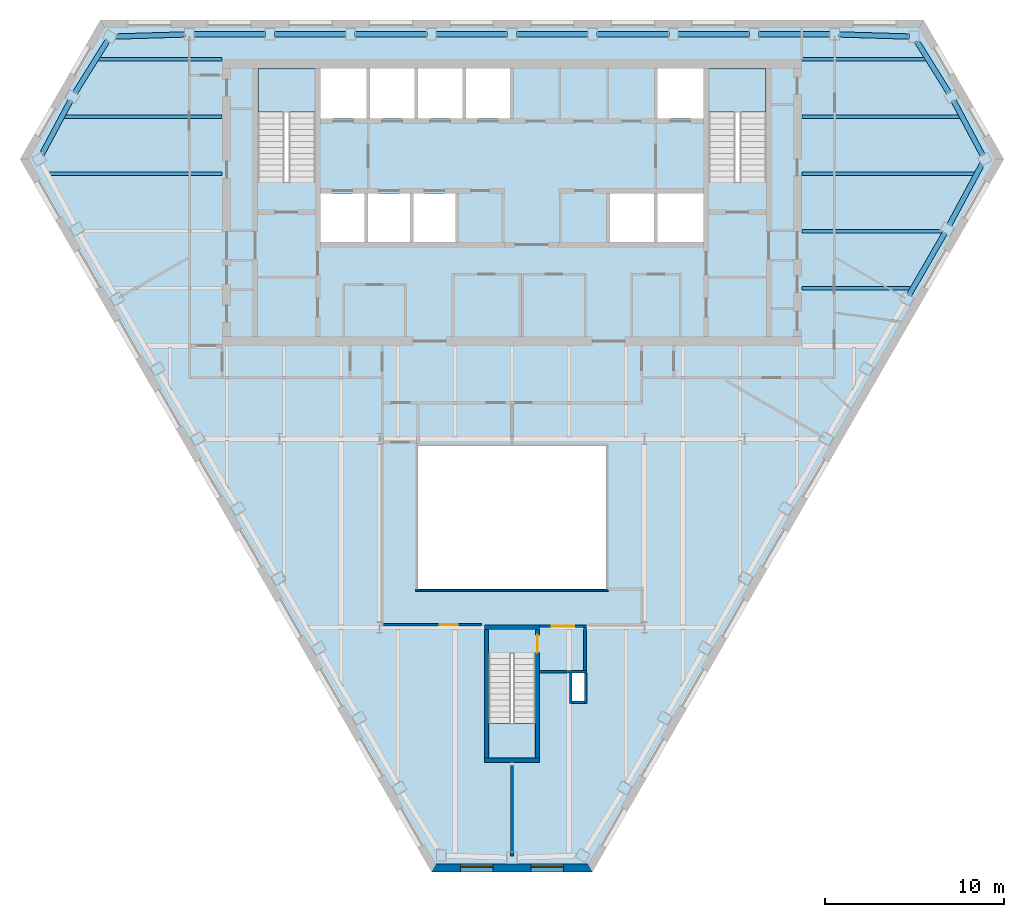
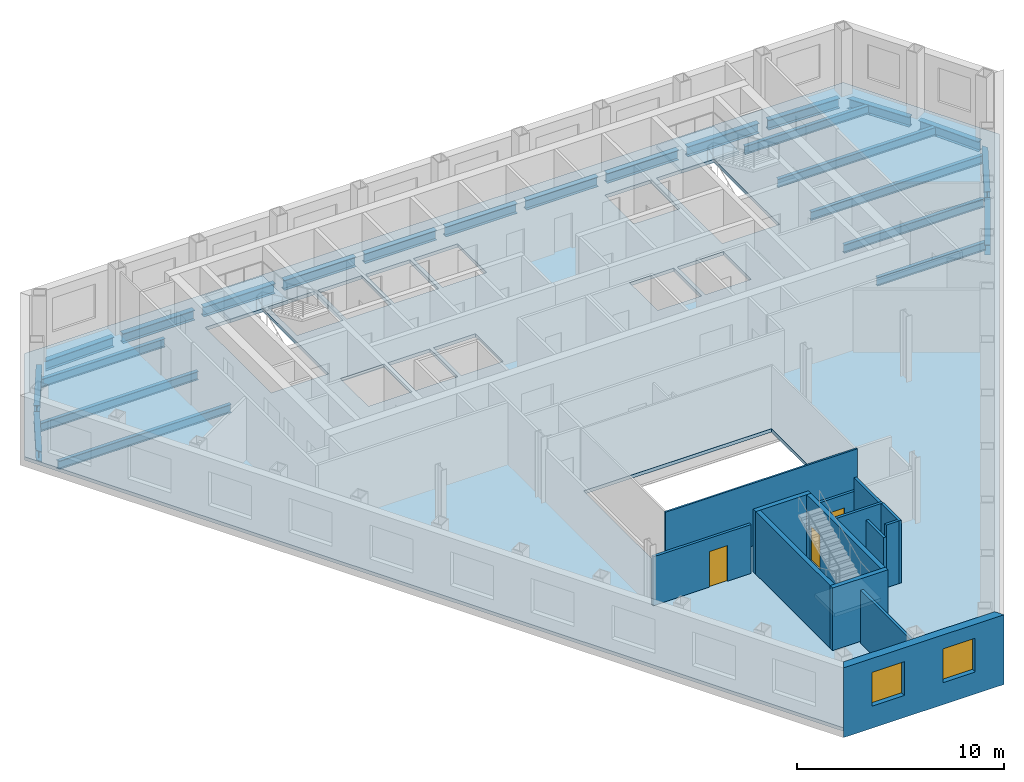
# One storey, part 3 of 11: 24 beams, 14 walls, 4 slabs, 3 doors, 2 windows, 5 openings, 3 elements without a shape of their own.
"""IFC4 building model written with IfcOpenShell, lengths in metres."""

from ifc_helpers import new_model, si_unit, direction, frame, frame_2d, origin, origin_2d, place, context, subcontext, project, spatial, polyline, rectangle, i_section, outline, extrude, clip, halfspace, material, layer, layer_set, material_profile, profile_set, type_object, element, fill, aggregate, save


model = new_model("IFC4")

# Units and contexts
model_context = context("Model", 3, precision=1e-05, world=origin(), true_north=direction((0.0, 1.0)))
body_context = subcontext(model_context, "Body", "Model", "MODEL_VIEW")
ifc_project = project(units=[si_unit("LENGTHUNIT", "METRE"), si_unit("AREAUNIT", "SQUARE_METRE"), si_unit("VOLUMEUNIT", "CUBIC_METRE"), si_unit("PLANEANGLEUNIT", "RADIAN"), si_unit("MASSUNIT", "GRAM", prefix="KILO")], contexts=[model_context])

# Site, building, storey
site_placement = place(None, origin())
site = spatial("IfcSite", under=ifc_project, at=site_placement, CompositionType="ELEMENT")
building_placement = place(site_placement, origin())
building = spatial("IfcBuilding", under=site, at=building_placement, Name="Njiva Tower", CompositionType="ELEMENT")
storey_placement = place(building_placement, frame((0.0, 0.0, 147.6)))
storey = spatial("IfcBuildingStorey", under=building, at=storey_placement, Name="L31", CompositionType="ELEMENT", Elevation=147.6)

# Beams
ifc_material_1 = material(Name="Steel S355 J2", Category="steel")
ifc_material_profile_1 = material_profile(ifc_material_1, i_section(OverallWidth=0.2, OverallDepth=0.5, WebThickness=0.0102, FlangeThickness=0.016, at=origin_2d()), Name="IPE 500")
ifc_profile_set_1 = profile_set([ifc_material_profile_1], Name="Steel S355 J2")
beam_type_1 = type_object("IfcBeamType", Name="B24 Floor beam to the core IPE 500", PredefinedType="BEAM", material=ifc_profile_set_1)
beam_1_placement = place(storey_placement, frame((16.2, 5.2, -0.45), z_axis=(1.0, 0.0, 0.0), x_axis=(0.0, 1.0, 0.0)))
element("IfcBeam", 1, at=beam_1_placement, inside=storey, type_object=beam_type_1, Name="Floor beam to the core S10-B025", PredefinedType="BEAM", context=body_context, shape_type="Clipping", body=[
    clip(extrude(i_section(OverallWidth=0.2, OverallDepth=0.5, WebThickness=0.0102, FlangeThickness=0.016, at=origin_2d()), origin(), (0.0, 0.0, 1.0), 6.164), halfspace(frame((-0.025, 0.0, 6.0711), z_axis=(-0.499998009787, 0.0, 0.866026552831), x_axis=(0.0, 1.0, 0.0)), False)),
])
beam_2_placement = place(storey_placement, frame((16.2, 8.4, -0.45), z_axis=(1.0, 0.0, 0.0), x_axis=(0.0, 1.0, 0.0)))
element("IfcBeam", 2, at=beam_2_placement, inside=storey, type_object=beam_type_1, Name="Floor beam to the core S10-B026", PredefinedType="BEAM", context=body_context, shape_type="Clipping", body=[
    clip(extrude(i_section(OverallWidth=0.2, OverallDepth=0.5, WebThickness=0.0102, FlangeThickness=0.016, at=origin_2d()), origin(), (0.0, 0.0, 1.0), 8.016), halfspace(frame((0.0433, 0.0, 7.7481), z_axis=(0.866026552831, 0.0, 0.499998009787), x_axis=(0.0, 1.0, 0.0)), False)),
])
beam_3_placement = place(storey_placement, frame((-25.11, 14.8, -0.45), z_axis=(1.0, 0.0, 0.0), x_axis=(0.0, 1.0, 0.0)))
element("IfcBeam", 3, at=beam_3_placement, inside=storey, type_object=beam_type_1, Name="Floor beam to the core S10-B020", PredefinedType="BEAM", context=body_context, shape_type="Clipping", body=[
    clip(extrude(i_section(OverallWidth=0.2, OverallDepth=0.5, WebThickness=0.0102, FlangeThickness=0.016, at=origin_2d()), origin(), (0.0, 0.0, 1.0), 8.91), halfspace(frame((0.0235, 0.0, 0.0859), z_axis=(0.470559169346, 0.0, -0.8823684424), x_axis=(0.0, -1.0, 0.0)), False)),
])
beam_4_placement = place(storey_placement, frame((16.2, 14.8, -0.45), z_axis=(1.0, 0.0, 0.0), x_axis=(0.0, 1.0, 0.0)))
element("IfcBeam", 4, at=beam_4_placement, inside=storey, type_object=beam_type_1, Name="Floor beam to the core S10-B029", PredefinedType="BEAM", context=body_context, shape_type="Clipping", body=[
    clip(extrude(i_section(OverallWidth=0.2, OverallDepth=0.5, WebThickness=0.0102, FlangeThickness=0.016, at=origin_2d()), origin(), (0.0, 0.0, 1.0), 8.91), halfspace(frame((0.0235, 0.0, 8.8241), z_axis=(0.470559169346, 0.0, 0.8823684424), x_axis=(0.0, 1.0, 0.0)), False)),
])
beam_5_placement = place(storey_placement, frame((-23.22, 18.0, -0.45), z_axis=(1.0, 0.0, 0.0), x_axis=(0.0, 1.0, 0.0)))
element("IfcBeam", 5, at=beam_5_placement, inside=storey, type_object=beam_type_1, Name="Floor beam to the core S10-B023", PredefinedType="BEAM", context=body_context, shape_type="Clipping", body=[
    clip(extrude(i_section(OverallWidth=0.2, OverallDepth=0.5, WebThickness=0.0102, FlangeThickness=0.016, at=origin_2d()), origin(), (0.0, 0.0, 1.0), 7.02), halfspace(frame((0.0264, 0.0, 0.0986), z_axis=(0.528871278045, 0.0, -0.848702050933), x_axis=(0.0, -1.0, 0.0)), False)),
])
beam_6_placement = place(storey_placement, frame((16.2, 18.0, -0.45), z_axis=(1.0, 0.0, 0.0), x_axis=(0.0, 1.0, 0.0)))
element("IfcBeam", 6, at=beam_6_placement, inside=storey, type_object=beam_type_1, Name="Floor beam to the core S10-B030", PredefinedType="BEAM", context=body_context, shape_type="Clipping", body=[
    clip(extrude(i_section(OverallWidth=0.2, OverallDepth=0.5, WebThickness=0.0102, FlangeThickness=0.016, at=origin_2d()), origin(), (0.0, 0.0, 1.0), 7.02), halfspace(frame((0.0264, 0.0, 6.9214), z_axis=(0.528871278045, 0.0, 0.848702050933), x_axis=(0.0, 1.0, 0.0)), False)),
])
ifc_material_profile_2 = material_profile(ifc_material_1, i_section(OverallWidth=0.3, OverallDepth=0.59, WebThickness=0.013, FlangeThickness=0.025, at=origin_2d()), Name="HEA 600")
ifc_profile_set_2 = profile_set([ifc_material_profile_2], Name="Steel S355 J2")
beam_type_2 = type_object("IfcBeamType", Name="B27 Short-span spandrel beam HEA 600", PredefinedType="SPANDREL", material=ifc_profile_set_2)
beam_7_placement = place(storey_placement, frame((22.212, 19.275, -0.495), z_axis=(-0.999555783921, 0.029803268787, 0.0), x_axis=(-0.029803268787, -0.999555783921, 0.0)))
element("IfcBeam", 7, at=beam_7_placement, inside=storey, type_object=beam_type_2, Name="Short-span spandrel beam S10-B158", PredefinedType="SPANDREL", context=body_context, shape_type="SweptSolid", body=[
    extrude(i_section(OverallWidth=0.3, OverallDepth=0.59, WebThickness=0.013, FlangeThickness=0.025, at=origin_2d()), origin(), (0.0, 0.0, 1.0), 3.9257),
])
beam_8_placement = place(storey_placement, frame((17.784, 19.4, -0.495), z_axis=(-1.0, 0.0, 0.0), x_axis=(0.0, -1.0, 0.0)))
element("IfcBeam", 8, at=beam_8_placement, inside=storey, type_object=beam_type_2, Name="Short-span spandrel beam S10-B153", PredefinedType="SPANDREL", context=body_context, shape_type="SweptSolid", body=[
    extrude(i_section(OverallWidth=0.3, OverallDepth=0.59, WebThickness=0.013, FlangeThickness=0.025, at=origin_2d()), origin(), (0.0, 0.0, 1.0), 4.008),
])
beam_9_placement = place(storey_placement, frame((13.276, 19.4, -0.495), z_axis=(-1.0, 0.0, 0.0), x_axis=(0.0, -1.0, 0.0)))
element("IfcBeam", 9, at=beam_9_placement, inside=storey, type_object=beam_type_2, Name="Short-span spandrel beam S10-B148", PredefinedType="SPANDREL", context=body_context, shape_type="SweptSolid", body=[
    extrude(i_section(OverallWidth=0.3, OverallDepth=0.59, WebThickness=0.013, FlangeThickness=0.025, at=origin_2d()), origin(), (0.0, 0.0, 1.0), 4.009),
])
beam_10_placement = place(storey_placement, frame((8.767, 19.4, -0.495), z_axis=(-1.0, 0.0, 0.0), x_axis=(0.0, -1.0, 0.0)))
element("IfcBeam", 10, at=beam_10_placement, inside=storey, type_object=beam_type_2, Name="Short-span spandrel beam S10-B143", PredefinedType="SPANDREL", context=body_context, shape_type="SweptSolid", body=[
    extrude(i_section(OverallWidth=0.3, OverallDepth=0.59, WebThickness=0.013, FlangeThickness=0.025, at=origin_2d()), origin(), (0.0, 0.0, 1.0), 4.008),
])
for number, where, z_axis, x_axis, name in (
    (11, (4.259, 19.4, -0.495), (-1.0, 0.0, 0.0), (0.0, -1.0, 0.0), "Short-span spandrel beam S10-B140"),
    (12, (-0.25, 19.4, -0.495), (-1.0, 0.0, 0.0), (0.0, -1.0, 0.0), "Short-span spandrel beam S10-B135"),
):
    element("IfcBeam", number, at=place(storey_placement, frame(where, z_axis=z_axis, x_axis=x_axis)), inside=storey, type_object=beam_type_2, Name=name, PredefinedType="SPANDREL", context=body_context, shape_type="SweptSolid", body=[
        extrude(i_section(OverallWidth=0.3, OverallDepth=0.59, WebThickness=0.013, FlangeThickness=0.025, at=origin_2d()), origin(), (0.0, 0.0, 1.0), 4.009),
    ])
beam_11_placement = place(storey_placement, frame((-4.759, 19.4, -0.495), z_axis=(-1.0, 0.0, 0.0), x_axis=(0.0, -1.0, 0.0)))
element("IfcBeam", 13, at=beam_11_placement, inside=storey, type_object=beam_type_2, Name="Short-span spandrel beam S10-B130", PredefinedType="SPANDREL", context=body_context, shape_type="SweptSolid", body=[
    extrude(i_section(OverallWidth=0.3, OverallDepth=0.59, WebThickness=0.013, FlangeThickness=0.025, at=origin_2d()), origin(), (0.0, 0.0, 1.0), 4.008),
])
beam_12_placement = place(storey_placement, frame((-9.267, 19.4, -0.495), z_axis=(-1.0, 0.0, 0.0), x_axis=(0.0, -1.0, 0.0)))
element("IfcBeam", 14, at=beam_12_placement, inside=storey, type_object=beam_type_2, Name="Short-span spandrel beam S10-B125", PredefinedType="SPANDREL", context=body_context, shape_type="SweptSolid", body=[
    extrude(i_section(OverallWidth=0.3, OverallDepth=0.59, WebThickness=0.013, FlangeThickness=0.025, at=origin_2d()), origin(), (0.0, 0.0, 1.0), 4.009),
])
beam_13_placement = place(storey_placement, frame((-13.776, 19.4, -0.495), z_axis=(-1.0, 0.0, 0.0), x_axis=(0.0, -1.0, 0.0)))
element("IfcBeam", 15, at=beam_13_placement, inside=storey, type_object=beam_type_2, Name="Short-span spandrel beam S10-B120", PredefinedType="SPANDREL", context=body_context, shape_type="SweptSolid", body=[
    extrude(i_section(OverallWidth=0.3, OverallDepth=0.59, WebThickness=0.013, FlangeThickness=0.025, at=origin_2d()), origin(), (0.0, 0.0, 1.0), 4.008),
])
beam_14_placement = place(storey_placement, frame((-18.288, 19.392, -0.495), z_axis=(-0.999548579163, -0.030043932724, 0.0), x_axis=(0.030043932724, -0.999548579163, 0.0)))
element("IfcBeam", 16, at=beam_14_placement, inside=storey, type_object=beam_type_2, Name="Short-span spandrel beam S10-B115", PredefinedType="SPANDREL", context=body_context, shape_type="Clipping", body=[
    clip(extrude(i_section(OverallWidth=0.3, OverallDepth=0.59, WebThickness=0.013, FlangeThickness=0.025, at=origin_2d()), origin(), (0.0, 0.0, 1.0), 3.9407), halfspace(frame((-0.0268, 0.0, 3.811), z_axis=(-0.525791143758, 0.0, 0.850613703832), x_axis=(0.0, 1.0, 0.0)), False)),
])
beam_15_placement = place(storey_placement, frame((-22.601, 19.051, -0.495), z_axis=(-0.528771635486, -0.848764135379, 0.0), x_axis=(0.848764135379, -0.528771635486, 0.0)))
element("IfcBeam", 17, at=beam_15_placement, inside=storey, type_object=beam_type_2, Name="Short-span spandrel beam S10-B112", PredefinedType="SPANDREL", context=body_context, shape_type="SweptSolid", body=[
    extrude(i_section(OverallWidth=0.3, OverallDepth=0.59, WebThickness=0.013, FlangeThickness=0.025, at=origin_2d()), origin(), (0.0, 0.0, 1.0), 3.4438),
])
beam_16_placement = place(storey_placement, frame((-24.677, 15.687, -0.495), z_axis=(-0.470495144378, -0.882402583358, 0.0), x_axis=(0.882402583358, -0.470495144378, 0.0)))
element("IfcBeam", 18, at=beam_16_placement, inside=storey, type_object=beam_type_2, Name="Short-span spandrel beam S10-B109", PredefinedType="SPANDREL", context=body_context, shape_type="Clipping", body=[
    clip(extrude(i_section(OverallWidth=0.3, OverallDepth=0.59, WebThickness=0.013, FlangeThickness=0.025, at=origin_2d()), origin(), (0.0, 0.0, 1.0), 3.4584), halfspace(frame((-0.0266, 0.0, 3.3296), z_axis=(-0.528937431671, 0.0, 0.84866082352), x_axis=(0.0, 1.0, 0.0)), False)),
])
beam_17_placement = place(storey_placement, frame((22.188, 4.831, -0.495), z_axis=(0.500003221507, 0.866023543838, 0.0), x_axis=(-0.866023543838, 0.500003221507, 0.0)))
element("IfcBeam", 19, at=beam_17_placement, inside=storey, type_object=beam_type_2, Name="Short-span spandrel beam S10-B162", PredefinedType="SPANDREL", context=body_context, shape_type="SweptSolid", body=[
    extrude(i_section(OverallWidth=0.3, OverallDepth=0.59, WebThickness=0.013, FlangeThickness=0.025, at=origin_2d()), origin(), (0.0, 0.0, 1.0), 4.008),
])
beam_18_placement = place(storey_placement, frame((24.437, 8.742, -0.495), z_axis=(0.473866139808, 0.880596889356, 0.0), x_axis=(-0.880596889356, 0.473866139808, 0.0)))
element("IfcBeam", 20, at=beam_18_placement, inside=storey, type_object=beam_type_2, Name="Short-span spandrel beam S10-B166", PredefinedType="SPANDREL", context=body_context, shape_type="Clipping", body=[
    clip(extrude(i_section(OverallWidth=0.3, OverallDepth=0.59, WebThickness=0.013, FlangeThickness=0.025, at=origin_2d()), origin(), (0.0, 0.0, 1.0), 3.9411), halfspace(frame((-0.026, 0.0, 3.8116), z_axis=(-0.525688161714, 0.0, 0.850677351664), x_axis=(0.0, 1.0, 0.0)), False)),
])
beam_19_placement = place(storey_placement, frame((26.298, 12.647, -0.495), z_axis=(-0.470512906358, 0.882393112479, 0.0), x_axis=(-0.882393112479, -0.470512906358, 0.0)))
element("IfcBeam", 21, at=beam_19_placement, inside=storey, type_object=beam_type_2, Name="Short-span spandrel beam S10-B167", PredefinedType="SPANDREL", context=body_context, shape_type="SweptSolid", body=[
    extrude(i_section(OverallWidth=0.3, OverallDepth=0.59, WebThickness=0.013, FlangeThickness=0.025, at=origin_2d()), origin(), (0.0, 0.0, 1.0), 3.4452),
])
beam_20_placement = place(storey_placement, frame((24.422, 16.128, -0.495), z_axis=(-0.528842954955, 0.848719699897, 0.0), x_axis=(-0.848719699897, -0.528842954955, 0.0)))
element("IfcBeam", 22, at=beam_20_placement, inside=storey, type_object=beam_type_2, Name="Short-span spandrel beam S10-B163", PredefinedType="SPANDREL", context=body_context, shape_type="Clipping", body=[
    clip(extrude(i_section(OverallWidth=0.3, OverallDepth=0.59, WebThickness=0.013, FlangeThickness=0.025, at=origin_2d()), origin(), (0.0, 0.0, 1.0), 3.458), halfspace(frame((-0.0266, 0.0, 3.3285), z_axis=(-0.528842954955, 0.0, 0.848719699897), x_axis=(0.0, 1.0, 0.0)), False)),
])
ifc_material_profile_3 = material_profile(ifc_material_1, i_section(OverallWidth=0.2, OverallDepth=0.5, WebThickness=0.0102, FlangeThickness=0.016, at=origin_2d()), Name="IPE 500")
ifc_profile_set_3 = profile_set([ifc_material_profile_3], Name="Steel S355 J2")
beam_type_3 = type_object("IfcBeamType", Name="B33 Long-span floor beam to the core IPE 500", PredefinedType="BEAM", material=ifc_profile_set_3)
beam_21_placement = place(storey_placement, frame((-25.935, 11.6, -0.45), z_axis=(1.0, 0.0, 0.0), x_axis=(0.0, 1.0, 0.0)))
element("IfcBeam", 23, at=beam_21_placement, inside=storey, type_object=beam_type_3, Name="Long-span floor beam to the core S10-B019", PredefinedType="BEAM", context=body_context, shape_type="Clipping", body=[
    clip(extrude(i_section(OverallWidth=0.2, OverallDepth=0.5, WebThickness=0.0102, FlangeThickness=0.016, at=origin_2d()), origin(), (0.0, 0.0, 1.0), 9.735), halfspace(frame((-0.0237, 0.0, 0.0866), z_axis=(-0.473777178452, 0.0, -0.88064475538), x_axis=(0.0, -1.0, 0.0)), False)),
])
beam_22_placement = place(storey_placement, frame((16.2, 11.6, -0.45), z_axis=(1.0, 0.0, 0.0), x_axis=(0.0, 1.0, 0.0)))
element("IfcBeam", 24, at=beam_22_placement, inside=storey, type_object=beam_type_3, Name="Long-span floor beam to the core S10-B028", PredefinedType="BEAM", context=body_context, shape_type="Clipping", body=[
    clip(extrude(i_section(OverallWidth=0.2, OverallDepth=0.5, WebThickness=0.0102, FlangeThickness=0.016, at=origin_2d()), origin(), (0.0, 0.0, 1.0), 9.735), halfspace(frame((-0.0237, 0.0, 9.6484), z_axis=(-0.473777178452, 0.0, 0.88064475538), x_axis=(0.0, 1.0, 0.0)), False)),
])

# Stair, slab
ifc_material_2 = material(Name="Concrete C40/50", Category="concrete")
stair_type_1 = type_object("IfcStairType", Name="ST4 Exit stair 1500", PredefinedType="HALF_TURN_STAIR", material=ifc_material_2)
stair_1_placement = place(storey_placement, origin())
stair_1 = element("IfcStair", 25, at=stair_1_placement, inside=storey, type_object=stair_type_1, Name="Stair A", PredefinedType="HALF_TURN_STAIR")
ifc_layer_1 = layer(ifc_material_2, 0.2)
ifc_layer_set_1 = layer_set([ifc_layer_1], Name="Concrete C40/50")
slab_type_1 = type_object("IfcSlabType", Name="FL9 Stair landing 200", PredefinedType="LANDING", material=ifc_layer_set_1)
slab_1_placement = place(storey_placement, frame((0.0, 0.0, 1.75)))
slab_1 = element("IfcSlab", 26, at=slab_1_placement, type_object=slab_type_1, Name="ST-A landing 1", PredefinedType="LANDING", context=body_context, shape_type="SweptSolid", body=[
    extrude(outline(polyline([(-14.206, 15.06), (-10.994, 15.06), (-10.994, 17.5), (-14.206, 17.5), (-14.206, 15.06)])), origin(), (0.0, 0.0, 1.0), 0.2),
])
aggregate(stair_1, [slab_1])

stair_2_placement = place(storey_placement, origin())
stair_2 = element("IfcStair", 27, at=stair_2_placement, inside=storey, type_object=stair_type_1, Name="Stair B", PredefinedType="HALF_TURN_STAIR")
slab_2_placement = place(storey_placement, frame((0.0, 0.0, 1.75)))
slab_2 = element("IfcSlab", 28, at=slab_2_placement, type_object=slab_type_1, Name="ST-B landing 1", PredefinedType="LANDING", context=body_context, shape_type="SweptSolid", body=[
    extrude(outline(polyline([(10.994, 15.06), (14.206, 15.06), (14.206, 17.5), (10.994, 17.5), (10.994, 15.06)])), origin(), (0.0, 0.0, 1.0), 0.2),
])
aggregate(stair_2, [slab_2])

stair_type_2 = type_object("IfcStairType", Name="ST1 Exit stair 1250", PredefinedType="HALF_TURN_STAIR", material=ifc_material_2)
stair_3_placement = place(storey_placement, origin())
stair_3 = element("IfcStair", 29, at=stair_3_placement, inside=storey, type_object=stair_type_2, Name="Stair C", PredefinedType="HALF_TURN_STAIR")
slab_3_placement = place(storey_placement, frame((0.0, 0.0, 1.75)))
slab_3 = element("IfcSlab", 30, at=slab_3_placement, type_object=slab_type_1, Name="ST-C landing 1", PredefinedType="LANDING", context=body_context, shape_type="SweptSolid", body=[
    extrude(outline(polyline([(-1.306, -21.05), (1.306, -21.05), (1.306, -19.12), (-1.306, -19.12), (-1.306, -21.05)])), origin(), (0.0, 0.0, 1.0), 0.2),
])
aggregate(stair_3, [slab_3])

# Slab
ifc_material_3 = material(Name="Concrete C30/37", Category="concrete")
ifc_layer_2 = layer(ifc_material_3, 0.2)
ifc_layer_set_2 = layer_set([ifc_layer_2], Name="Concrete C30/37")
slab_type_2 = type_object("IfcSlabType", Name="SL16 Composite floor slab 200", PredefinedType="FLOOR", material=ifc_layer_set_2)
slab_4_placement = place(storey_placement, frame((0.0, 0.0, -0.2)))
element("IfcSlab", 31, at=slab_4_placement, inside=storey, type_object=slab_type_2, Name="Floor slab L31", PredefinedType="FLOOR", context=body_context, shape_type="SweptSolid", body=[
    extrude(outline(polyline([(27.2352, 12.4231), (4.3601, -27.1977), (-4.3601, -27.1977), (-27.2352, 12.4231), (-22.8751, 19.975), (22.8751, 19.975), (27.2352, 12.4231)]), holes=[polyline([(10.994, 11.13), (14.206, 11.13), (14.206, 17.5), (10.994, 17.5), (10.994, 11.13)]), polyline([(8.125, 14.7), (10.7, 14.7), (10.7, 17.5), (8.125, 17.5), (8.125, 14.7)]), polyline([(8.1333, 7.8), (10.7, 7.8), (10.7, 10.5), (8.1333, 10.5), (8.1333, 7.8)]), polyline([(5.4667, 7.8), (7.9333, 7.8), (7.9333, 10.5), (5.4667, 10.5), (5.4667, 7.8)]), polyline([(5.25, -11.6), (5.25, -3.6), (-5.25, -3.6), (-5.25, -11.6), (5.25, -11.6)]), polyline([(3.35, -17.85), (4.05, -17.85), (4.05, -16.3), (3.35, -16.3), (3.35, -17.85)]), polyline([(-1.306, -21.05), (1.306, -21.05), (1.306, -15.19), (-1.306, -15.19), (-1.306, -21.05)]), polyline([(-2.575, 14.7), (-0.1, 14.7), (-0.1, 17.5), (-2.575, 17.5), (-2.575, 14.7)]), polyline([(-5.25, 14.7), (-2.775, 14.7), (-2.775, 17.5), (-5.25, 17.5), (-5.25, 14.7)]), polyline([(-5.5, 7.8), (-3.15, 7.8), (-3.15, 10.5), (-5.5, 10.5), (-5.5, 7.8)]), polyline([(-7.925, 14.7), (-5.45, 14.7), (-5.45, 17.5), (-7.925, 17.5), (-7.925, 14.7)]), polyline([(-8.05, 7.8), (-5.7, 7.8), (-5.7, 10.5), (-8.05, 10.5), (-8.05, 7.8)]), polyline([(-10.7, 14.7), (-8.125, 14.7), (-8.125, 17.5), (-10.7, 17.5), (-10.7, 14.7)]), polyline([(-8.25, 7.8), (-8.25, 10.5), (-10.7, 10.5), (-10.7, 7.8), (-8.25, 7.8)]), polyline([(-14.206, 11.13), (-10.994, 11.13), (-10.994, 17.5), (-14.206, 17.5), (-14.206, 11.13)])]), origin(), (0.0, 0.0, 1.0), 0.2),
])

# Wall, opening, door
ifc_material_4 = material(Name="Gypsum board on steel studs", Category="gypsum")
ifc_layer_3 = layer(ifc_material_4, 0.15)
ifc_layer_set_3 = layer_set([ifc_layer_3], Name="Gypsum board on steel studs")
wall_type_1 = type_object("IfcWallType", Name="WT21 Compartment wall 150", PredefinedType="PARTITIONING", material=ifc_layer_set_3)
wall_1_placement = place(storey_placement, frame((-7.175, -13.6, 0.0), z_axis=(0.0, 0.0, 1.0), x_axis=(1.0, 0.0, 0.0)))
wall_1 = element("IfcWall", 32, at=wall_1_placement, inside=storey, type_object=wall_type_1, Name="Partition S10-P011", PredefinedType="PARTITIONING", context=body_context, shape_type="SweptSolid", body=[
    extrude(rectangle(XDim=5.475, YDim=0.15, at=frame_2d((2.7375, 0.0))), origin(), (0.0, 0.0, 1.0), 2.886),
])
opening_1_placement = place(wall_1_placement, frame((3.143, 0.0, 0.0)))
opening_1 = element("IfcOpeningElement", 33, at=opening_1_placement, cuts=wall_1, Name="Opening S10-D007", PredefinedType="OPENING", context=body_context, shape_type="SweptSolid", body=[
    extrude(rectangle(XDim=1.0, YDim=2.1, at=frame_2d((0.5, 1.05))), frame((0.0, 0.085, 0.0), z_axis=(0.0, -1.0, 0.0), x_axis=(1.0, 0.0, 0.0)), (0.0, 0.0, 1.0), 0.17),
])
ifc_material_5 = material(Name="Steel fire door set", Category="steel")
door_type_1 = type_object("IfcDoorType", Name="D37 Fire door 1000x2100", OperationType="SINGLE_SWING_LEFT", PredefinedType="DOOR", material=ifc_material_5)
door_1_placement = place(opening_1_placement, origin())
door_1 = element("IfcDoor", 34, at=door_1_placement, inside=storey, type_object=door_type_1, Name="Door S10-D007", OperationType="SINGLE_SWING_RIGHT", OverallHeight=2.1, OverallWidth=1.0, PredefinedType="DOOR", context=body_context, shape_type="SweptSolid", body=[
    extrude(rectangle(XDim=1.0, YDim=2.1, at=frame_2d((0.5, 1.05))), frame((0.0, 0.025, 0.0), z_axis=(0.0, -1.0, 0.0), x_axis=(1.0, 0.0, 0.0)), (0.0, 0.0, 1.0), 0.05),
])
fill(opening_1, door_1)

# Walls
wall_2_placement = place(storey_placement, frame((0.0, -26.523, 0.0), z_axis=(0.0, 0.0, 1.0), x_axis=(0.0, 1.0, 0.0)))
element("IfcWall", 35, at=wall_2_placement, inside=storey, type_object=wall_type_1, Name="Partition S10-P016", PredefinedType="PARTITIONING", context=body_context, shape_type="SweptSolid", body=[
    extrude(rectangle(XDim=5.073, YDim=0.15, at=frame_2d((2.5365, 0.0))), origin(), (0.0, 0.0, 1.0), 3.15),
])
ifc_material_6 = material(Name="Blockwork", Category="masonry")
ifc_layer_4 = layer(ifc_material_6, 0.15)
ifc_layer_set_4 = layer_set([ifc_layer_4], Name="Blockwork")
wall_type_2 = type_object("IfcWallType", Name="WT4 Stair partition 150", PredefinedType="PARTITIONING", material=ifc_layer_set_4)
wall_3_placement = place(storey_placement, frame((1.55, -16.225, 0.0), z_axis=(0.0, 0.0, 1.0), x_axis=(1.0, 0.0, 0.0)))
element("IfcWall", 36, at=wall_3_placement, inside=storey, type_object=wall_type_2, Name="Stair C vestibule wall south", PredefinedType="PARTITIONING", context=body_context, shape_type="SweptSolid", body=[
    extrude(rectangle(XDim=2.6, YDim=0.15, at=frame_2d((1.3, 0.0))), origin(), (0.0, 0.0, 1.0), 3.7),
])
wall_4_placement = place(storey_placement, frame((4.075, -16.15, 0.0), z_axis=(0.0, 0.0, 1.0), x_axis=(0.0, 1.0, 0.0)))
element("IfcWall", 37, at=wall_4_placement, inside=storey, type_object=wall_type_2, Name="Stair C vestibule wall east", PredefinedType="PARTITIONING", context=body_context, shape_type="SweptSolid", body=[
    extrude(rectangle(XDim=2.4, YDim=0.15, at=frame_2d((1.2, 0.0))), origin(), (0.0, 0.0, 1.0), 3.7),
])

# Wall, opening, door
wall_5_placement = place(storey_placement, frame((1.55, -13.675, 0.0), z_axis=(0.0, 0.0, 1.0), x_axis=(1.0, 0.0, 0.0)))
wall_5 = element("IfcWall", 38, at=wall_5_placement, inside=storey, type_object=wall_type_2, Name="Stair C vestibule wall north", PredefinedType="PARTITIONING", context=body_context, shape_type="SweptSolid", body=[
    extrude(rectangle(XDim=2.6, YDim=0.15, at=frame_2d((1.3, 0.0))), origin(), (0.0, 0.0, 1.0), 2.886),
])
opening_2_placement = place(wall_5_placement, frame((0.675, 0.0, 0.0)))
opening_2 = element("IfcOpeningElement", 39, at=opening_2_placement, cuts=wall_5, Name="Opening S10-D942", PredefinedType="OPENING", context=body_context, shape_type="SweptSolid", body=[
    extrude(rectangle(XDim=1.25, YDim=2.1, at=frame_2d((0.625, 1.05))), frame((0.0, 0.085, 0.0), z_axis=(0.0, -1.0, 0.0), x_axis=(1.0, 0.0, 0.0)), (0.0, 0.0, 1.0), 0.17),
])
ifc_material_7 = material(Name="Glazed steel fire door", Category="steel")
door_type_2 = type_object("IfcDoorType", Name="D8 Vestibule corridor door 1250x2100 glazed", OperationType="SINGLE_SWING_LEFT", PredefinedType="DOOR", material=ifc_material_7)
door_2_placement = place(opening_2_placement, origin())
door_2 = element("IfcDoor", 40, at=door_2_placement, inside=storey, type_object=door_type_2, Name="Stair vestibule corridor door", OperationType="SINGLE_SWING_RIGHT", OverallHeight=2.1, OverallWidth=1.25, PredefinedType="DOOR", context=body_context, shape_type="SweptSolid", body=[
    extrude(rectangle(XDim=1.25, YDim=2.1, at=frame_2d((0.625, 1.05))), frame((0.0, 0.025, 0.0), z_axis=(0.0, -1.0, 0.0), x_axis=(1.0, 0.0, 0.0)), (0.0, 0.0, 1.0), 0.05),
])
fill(opening_2, door_2)

# Walls
wall_6_placement = place(storey_placement, frame((3.275, -18.0, 0.0), z_axis=(0.0, 0.0, 1.0), x_axis=(0.0, 1.0, 0.0)))
element("IfcWall", 41, at=wall_6_placement, inside=storey, type_object=wall_type_2, Name="Stair C pressurisation shaft wall", PredefinedType="PARTITIONING", context=body_context, shape_type="SweptSolid", body=[
    extrude(rectangle(XDim=1.7, YDim=0.15, at=frame_2d((0.85, 0.0))), origin(), (0.0, 0.0, 1.0), 3.01),
])
wall_7_placement = place(storey_placement, frame((3.35, -17.925, 0.0), z_axis=(0.0, 0.0, 1.0), x_axis=(1.0, 0.0, 0.0)))
element("IfcWall", 42, at=wall_7_placement, inside=storey, type_object=wall_type_2, Name="Stair C pressurisation shaft wall", PredefinedType="PARTITIONING", context=body_context, shape_type="SweptSolid", body=[
    extrude(rectangle(XDim=0.7, YDim=0.15, at=frame_2d((0.35, 0.0))), origin(), (0.0, 0.0, 1.0), 3.7),
])
wall_8_placement = place(storey_placement, frame((4.125, -18.0, 0.0), z_axis=(0.0, 0.0, 1.0), x_axis=(0.0, 1.0, 0.0)))
element("IfcWall", 43, at=wall_8_placement, inside=storey, type_object=wall_type_2, Name="Stair C pressurisation shaft wall", PredefinedType="PARTITIONING", context=body_context, shape_type="SweptSolid", body=[
    extrude(rectangle(XDim=1.7, YDim=0.15, at=frame_2d((0.85, 0.0))), origin(), (0.0, 0.0, 1.0), 3.7),
])
ifc_layer_5 = layer(ifc_material_2, 0.25)
ifc_layer_set_5 = layer_set([ifc_layer_5], Name="Concrete C40/50")
wall_type_3 = type_object("IfcWallType", Name="WT9 Stair enclosure wall 250", PredefinedType="SHEAR", material=ifc_layer_set_5)
wall_9_placement = place(storey_placement, frame((-1.425, -21.05, 0.0), z_axis=(0.0, 0.0, 1.0), x_axis=(0.0, 1.0, 0.0)))
element("IfcWall", 44, at=wall_9_placement, inside=storey, type_object=wall_type_3, Name="Stair C wall west", PredefinedType="SHEAR", context=body_context, shape_type="SweptSolid", body=[
    extrude(rectangle(XDim=7.2, YDim=0.25, at=frame_2d((3.6, 0.0))), origin(), (0.0, 0.0, 1.0), 3.7),
])

# Wall, opening, door
wall_10_placement = place(storey_placement, frame((1.425, -21.05, 0.0), z_axis=(0.0, 0.0, 1.0), x_axis=(0.0, 1.0, 0.0)))
wall_10 = element("IfcWall", 45, at=wall_10_placement, inside=storey, type_object=wall_type_3, Name="Stair C wall east", PredefinedType="SHEAR", context=body_context, shape_type="SweptSolid", body=[
    extrude(rectangle(XDim=7.2, YDim=0.25, at=frame_2d((3.6, 0.0))), origin(), (0.0, 0.0, 1.0), 3.7),
])
opening_3_placement = place(wall_10_placement, frame((5.89, 0.0, 0.0)))
opening_3 = element("IfcOpeningElement", 46, at=opening_3_placement, cuts=wall_10, Name="Opening S10-D941", PredefinedType="OPENING", context=body_context, shape_type="SweptSolid", body=[
    extrude(rectangle(XDim=1.0, YDim=2.1, at=frame_2d((0.5, 1.05))), frame((0.0, 0.135, 0.0), z_axis=(0.0, -1.0, 0.0), x_axis=(1.0, 0.0, 0.0)), (0.0, 0.0, 1.0), 0.27),
])
door_type_3 = type_object("IfcDoorType", Name="D9 Stair vestibule door 1000x2100 glazed", OperationType="SINGLE_SWING_LEFT", PredefinedType="DOOR", material=ifc_material_7)
door_3_placement = place(opening_3_placement, origin())
door_3 = element("IfcDoor", 47, at=door_3_placement, inside=storey, type_object=door_type_3, Name="Stair C door", OperationType="SINGLE_SWING_LEFT", OverallHeight=2.1, OverallWidth=1.0, PredefinedType="DOOR", context=body_context, shape_type="SweptSolid", body=[
    extrude(rectangle(XDim=1.0, YDim=2.1, at=frame_2d((0.5, 1.05))), frame((0.0, 0.025, 0.0), z_axis=(0.0, -1.0, 0.0), x_axis=(1.0, 0.0, 0.0)), (0.0, 0.0, 1.0), 0.05),
])
fill(opening_3, door_3)

# Walls
for number, where, z_axis, x_axis, name in (
    (48, (-1.55, -21.175, 0.0), (0.0, 0.0, 1.0), (1.0, 0.0, 0.0), "Stair C wall south"),
    (49, (-1.55, -13.725, 0.0), (0.0, 0.0, 1.0), (1.0, 0.0, 0.0), "Stair C wall north"),
):
    element("IfcWall", number, at=place(storey_placement, frame(where, z_axis=z_axis, x_axis=x_axis)), inside=storey, type_object=wall_type_3, Name=name, PredefinedType="SHEAR", context=body_context, shape_type="SweptSolid", body=[
        extrude(rectangle(XDim=3.1, YDim=0.25, at=frame_2d((1.55, 0.0))), origin(), (0.0, 0.0, 1.0), 3.7),
    ])

# Wall, openings, windows
ifc_material_8 = material(Name="Brick masonry, buff", Category="masonry")
ifc_layer_6 = layer(ifc_material_8, 0.45)
ifc_layer_set_6 = layer_set([ifc_layer_6], Name="Brick masonry, buff")
wall_type_4 = type_object("IfcWallType", Name="WT94 Brick pier and spandrel wall 450, buff", PredefinedType="SOLIDWALL", material=ifc_layer_set_6)
wall_11_placement = place(storey_placement, frame((-4.3601, -27.1977, -0.4), z_axis=(0.0, 0.0, 1.0), x_axis=(1.0, 0.0, 0.0)))
wall_11 = element("IfcWall", 50, at=wall_11_placement, inside=storey, type_object=wall_type_4, Name="Facade wall S", PredefinedType="SOLIDWALL", context=body_context, shape_type="SweptSolid", body=[
    extrude(outline(polyline([(-0.1299, -0.225), (8.8501, -0.225), (8.5903, 0.225), (0.1299, 0.225), (-0.1299, -0.225)])), origin(), (0.0, 0.0, 1.0), 4.12),
])
opening_4_placement = place(wall_11_placement, frame((1.4844, 0.0, 1.3)))
opening_4 = element("IfcOpeningElement", 51, at=opening_4_placement, cuts=wall_11, Name="Opening S10-W22", PredefinedType="OPENING", context=body_context, shape_type="SweptSolid", body=[
    extrude(rectangle(XDim=1.8, YDim=2.0, at=frame_2d((0.9, 1.0))), frame((0.0, 0.235, 0.0), z_axis=(0.0, -1.0, 0.0), x_axis=(1.0, 0.0, 0.0)), (0.0, 0.0, 1.0), 0.47),
])
opening_5_placement = place(wall_11_placement, frame((5.4357, 0.0, 1.3)))
opening_5 = element("IfcOpeningElement", 52, at=opening_5_placement, cuts=wall_11, Name="Opening S10-W23", PredefinedType="OPENING", context=body_context, shape_type="SweptSolid", body=[
    extrude(rectangle(XDim=1.8, YDim=2.0, at=frame_2d((0.9, 1.0))), frame((0.0, 0.235, 0.0), z_axis=(0.0, -1.0, 0.0), x_axis=(1.0, 0.0, 0.0)), (0.0, 0.0, 1.0), 0.47),
])
ifc_material_9 = material(Name="Clear glazing in aluminium frame", Category="aluminium")
window_type = type_object("IfcWindowType", Name="W94 Deep-set window 1800x2000", PartitioningType="SINGLE_PANEL", PredefinedType="WINDOW", material=ifc_material_9)
window_1_placement = place(opening_4_placement, origin())
window_1 = element("IfcWindow", 53, at=window_1_placement, inside=storey, type_object=window_type, Name="Window", OverallHeight=2.0, OverallWidth=1.8, PartitioningType="SINGLE_PANEL", PredefinedType="WINDOW", context=body_context, shape_type="SweptSolid", body=[
    extrude(rectangle(XDim=1.8, YDim=2.0, at=frame_2d((0.9, 1.0))), frame((0.0, 0.105, 0.0), z_axis=(0.0, -1.0, 0.0), x_axis=(1.0, 0.0, 0.0)), (0.0, 0.0, 1.0), 0.06),
])
fill(opening_4, window_1)
window_2_placement = place(opening_5_placement, origin())
window_2 = element("IfcWindow", 54, at=window_2_placement, inside=storey, type_object=window_type, Name="Window", OverallHeight=2.0, OverallWidth=1.8, PartitioningType="SINGLE_PANEL", PredefinedType="WINDOW", context=body_context, shape_type="SweptSolid", body=[
    extrude(rectangle(XDim=1.8, YDim=2.0, at=frame_2d((0.9, 1.0))), frame((0.0, 0.105, 0.0), z_axis=(0.0, -1.0, 0.0), x_axis=(1.0, 0.0, 0.0)), (0.0, 0.0, 1.0), 0.06),
])
fill(opening_5, window_2)

# Wall
ifc_material_10 = material(Name="Fire-resisting glazing EI 90", Category="glass")
ifc_layer_7 = layer(ifc_material_10, 0.1)
ifc_layer_set_7 = layer_set([ifc_layer_7], Name="Fire-resisting glazing EI 90")
wall_type_5 = type_object("IfcWallType", Name="WT95 Fire-resisting glazed screen EI 90", PredefinedType="PARTITIONING", material=ifc_layer_set_7)
wall_12_placement = place(storey_placement, frame((-5.37, -11.67, 0.0), z_axis=(0.0, 0.0, 1.0), x_axis=(1.0, 0.0, 0.0)))
element("IfcWall", 55, at=wall_12_placement, inside=storey, type_object=wall_type_5, Name="Atrium fire screen south", PredefinedType="PARTITIONING", context=body_context, shape_type="SweptSolid", body=[
    extrude(rectangle(XDim=10.74, YDim=0.1, at=frame_2d((5.37, 0.0))), origin(), (0.0, 0.0, 1.0), 3.7),
])

save(model, "model.ifc")
